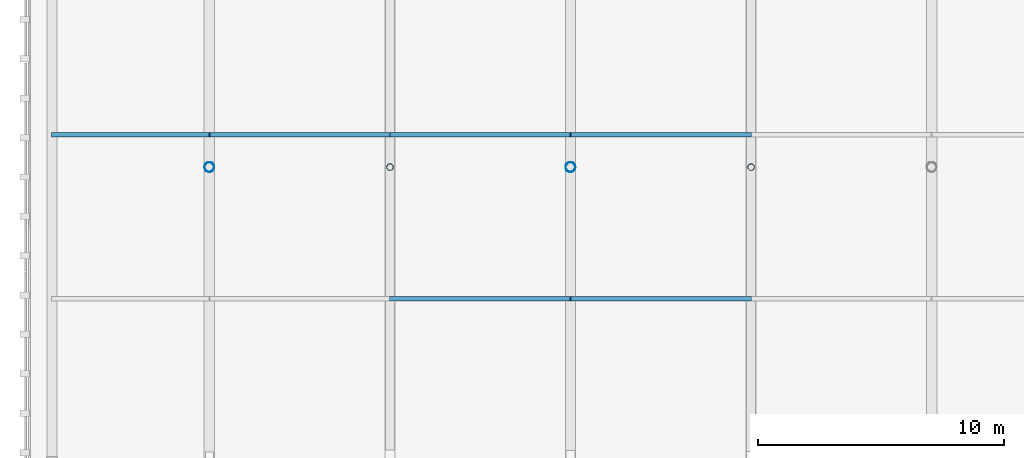
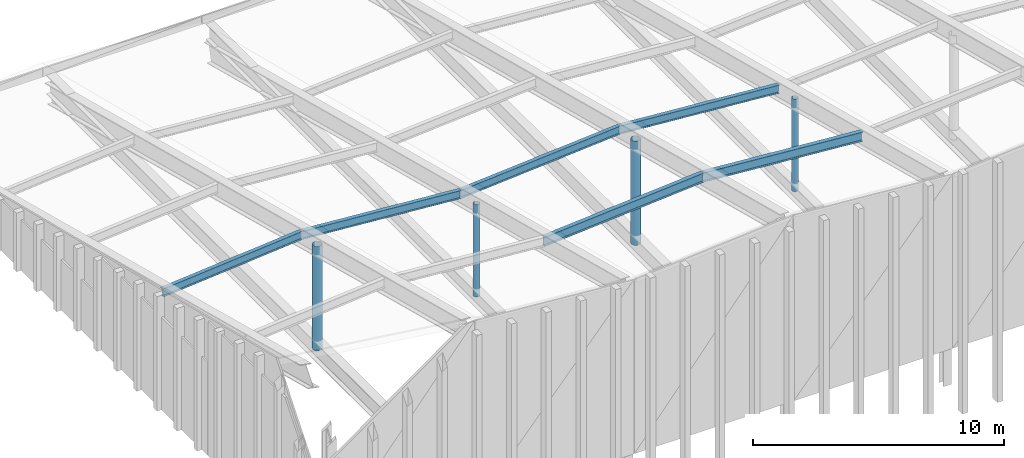
# One storey, part 3 of 8: 10 members.
"""IFC4 building model written with IfcOpenShell, lengths in metres."""

from ifc_helpers import new_model, si_unit, direction, frame, origin, origin_2d, place, context, subcontext, project, spatial, hollow_circle, i_section, extrude, material, material_profile, profile_set, type_object, element, save


model = new_model("IFC4")

# Units and contexts
model_context = context("Model", 3, precision=1e-05, world=origin(), true_north=direction((0.0, 1.0)))
body_context = subcontext(model_context, "Body", "Model", "MODEL_VIEW")
ifc_project = project(units=[si_unit("LENGTHUNIT", "METRE"), si_unit("AREAUNIT", "SQUARE_METRE"), si_unit("VOLUMEUNIT", "CUBIC_METRE"), si_unit("PLANEANGLEUNIT", "RADIAN"), si_unit("MASSUNIT", "GRAM", prefix="KILO")], contexts=[model_context])

# Site, building, storey
site_placement = place(None, origin())
site = spatial("IfcSite", under=ifc_project, at=site_placement, CompositionType="ELEMENT")
building_placement = place(site_placement, origin())
building = spatial("IfcBuilding", under=site, at=building_placement, Name="Trimount Lyric Opera House", CompositionType="ELEMENT")
storey_placement = place(building_placement, frame((0.0, 0.0, 34.199951171875)))
storey = spatial("IfcBuildingStorey", under=building, at=storey_placement, Name="RF", CompositionType="ELEMENT", Elevation=34.199951171875)

# Members
ifc_material_1 = material(Name="Steel ASTM A992 Grade 50", Category="steel")
ifc_material_profile_1 = material_profile(ifc_material_1, i_section(OverallWidth=0.177978515625, OverallDepth=0.404052734375, WebThickness=0.007568359375, FlangeThickness=0.010986328125, FilletRadius=0.010009765625, at=origin_2d()), Name="W16X36")
ifc_profile_set_1 = profile_set([ifc_material_profile_1], Name="Steel ASTM A992 Grade 50")
member_type_1 = type_object("IfcMemberType", Name="PR-01", PredefinedType="CHORD", material=ifc_profile_set_1)
member_1_placement = place(storey_placement, frame((64.260009765625, 97.31201171875, 4.214599609375), z_axis=(0.996053023158, 0.0, 0.088760211009), x_axis=(0.0, 1.0, 0.0)))
element("IfcMember", 1, at=member_1_placement, inside=storey, type_object=member_type_1, Name="Fly-tower roof purlin 1.2", PredefinedType="CHORD", context=body_context, shape_type="SweptSolid", body=[
    extrude(i_section(OverallWidth=0.177978515625, OverallDepth=0.404052734375, WebThickness=0.007568359375, FlangeThickness=0.010986328125, FilletRadius=0.010009765625, at=origin_2d()), origin(), (0.0, 0.0, 1.0), 6.422607421875),
])
for number, where, z_axis, x_axis, name in (
    (2, (70.6572265625, 97.31201171875, 4.78466796875), (0.996995257509, 0.0, -0.077462613592), (0.0, 1.0, 0.0), "Fly-tower roof purlin 2.2"),
    (3, (77.994384765625, 97.31201171875, 4.214599609375), (0.996995257509, 0.0, 0.077462613592), (0.0, 1.0, 0.0), "Fly-tower roof purlin 3.2"),
):
    element("IfcMember", number, at=place(storey_placement, frame(where, z_axis=z_axis, x_axis=x_axis)), inside=storey, type_object=member_type_1, Name=name, PredefinedType="CHORD", context=body_context, shape_type="SweptSolid", body=[
        extrude(i_section(OverallWidth=0.177978515625, OverallDepth=0.404052734375, WebThickness=0.007568359375, FlangeThickness=0.010986328125, FilletRadius=0.010009765625, at=origin_2d()), origin(), (0.0, 0.0, 1.0), 7.359375),
    ])
member_2_placement = place(storey_placement, frame((85.33154296875, 97.31201171875, 4.78466796875), z_axis=(0.996995058437, 0.0, -0.077465175744), x_axis=(0.0, 1.0, 0.0)))
element("IfcMember", 4, at=member_2_placement, inside=storey, type_object=member_type_1, Name="Fly-tower roof purlin 4.2", PredefinedType="CHORD", context=body_context, shape_type="SweptSolid", body=[
    extrude(i_section(OverallWidth=0.177978515625, OverallDepth=0.404052734375, WebThickness=0.007568359375, FlangeThickness=0.010986328125, FilletRadius=0.010009765625, at=origin_2d()), origin(), (0.0, 0.0, 1.0), 7.359130859375),
])
ifc_material_2 = material(Name="Steel ASTM A992 Grade 50", Category="steel")
ifc_material_profile_2 = material_profile(ifc_material_2, i_section(OverallWidth=0.19091796875, OverallDepth=0.45703125, WebThickness=0.009033203125, FlangeThickness=0.014404296875, FilletRadius=0.010986328125, at=origin_2d()), Name="W18X50")
ifc_profile_set_2 = profile_set([ifc_material_profile_2], Name="Steel ASTM A992 Grade 50")
member_type_2 = type_object("IfcMemberType", Name="PR-02", PredefinedType="CHORD", material=ifc_profile_set_2)
member_3_placement = place(storey_placement, frame((77.994384765625, 90.656005859375, 5.9404296875), z_axis=(0.996995257509, 0.0, 0.077462613592), x_axis=(0.0, 1.0, 0.0)))
element("IfcMember", 5, at=member_3_placement, inside=storey, type_object=member_type_2, Name="Fly-tower roof purlin 3.1", PredefinedType="CHORD", context=body_context, shape_type="SweptSolid", body=[
    extrude(i_section(OverallWidth=0.19091796875, OverallDepth=0.45703125, WebThickness=0.009033203125, FlangeThickness=0.014404296875, FilletRadius=0.010986328125, at=origin_2d()), origin(), (0.0, 0.0, 1.0), 7.359375),
])
member_4_placement = place(storey_placement, frame((85.33154296875, 90.656005859375, 6.510498046875), z_axis=(0.996995058437, 0.0, -0.077465175744), x_axis=(0.0, 1.0, 0.0)))
element("IfcMember", 6, at=member_4_placement, inside=storey, type_object=member_type_2, Name="Fly-tower roof purlin 4.1", PredefinedType="CHORD", context=body_context, shape_type="SweptSolid", body=[
    extrude(i_section(OverallWidth=0.19091796875, OverallDepth=0.45703125, WebThickness=0.009033203125, FlangeThickness=0.014404296875, FilletRadius=0.010986328125, at=origin_2d()), origin(), (0.0, 0.0, 1.0), 7.359130859375),
])
ifc_material_3 = material(Name="Steel ASTM A500 Grade C", Category="steel")
ifc_material_profile_3 = material_profile(ifc_material_3, hollow_circle(Radius=0.203125, WallThickness=0.01171875, at=origin_2d()), Name="HSS406.4X12.7")
ifc_profile_set_3 = profile_set([ifc_material_profile_3], Name="Steel ASTM A500 Grade C")
member_type_3 = type_object("IfcMemberType", Name="SR-01", PredefinedType="STRUT", material=ifc_profile_set_3)
for number, where, z_axis, x_axis, name in (
    (7, (70.6572265625, 96.0, 0.050048828125), (0.0, 0.0, 1.0), (1.0, 0.0, 0.0), "Fly-tower roof king strut 2"),
    (8, (85.33154296875, 96.0, 0.050048828125), (0.0, 0.0, 1.0), (1.0, 0.0, 0.0), "Fly-tower roof king strut 4"),
):
    element("IfcMember", number, at=place(storey_placement, frame(where, z_axis=z_axis, x_axis=x_axis)), inside=storey, type_object=member_type_3, Name=name, PredefinedType="STRUT", context=body_context, shape_type="SweptSolid", body=[
        extrude(hollow_circle(Radius=0.203125, WallThickness=0.01171875, at=origin_2d()), origin(), (0.0, 0.0, 1.0), 5.07470703125),
    ])
ifc_material_4 = material(Name="Steel ASTM A500 Grade C", Category="steel")
ifc_material_profile_4 = material_profile(ifc_material_4, hollow_circle(Radius=0.136474609375, WallThickness=0.0087890625, at=origin_2d()), Name="HSS273.1X9.5")
ifc_profile_set_4 = profile_set([ifc_material_profile_4], Name="Steel ASTM A500 Grade C")
member_type_4 = type_object("IfcMemberType", Name="SR-02", PredefinedType="STRUT", material=ifc_profile_set_4)
for number, where, z_axis, x_axis, name in (
    (9, (77.994384765625, 96.0, 0.050048828125), (0.0, 0.0, 1.0), (1.0, 0.0, 0.0), "Fly-tower roof king strut 3"),
    (10, (92.66845703125, 96.0, 0.050048828125), (0.0, 0.0, 1.0), (1.0, 0.0, 0.0), "Fly-tower roof king strut 5"),
):
    element("IfcMember", number, at=place(storey_placement, frame(where, z_axis=z_axis, x_axis=x_axis)), inside=storey, type_object=member_type_4, Name=name, PredefinedType="STRUT", context=body_context, shape_type="SweptSolid", body=[
        extrude(hollow_circle(Radius=0.136474609375, WallThickness=0.0087890625, at=origin_2d()), origin(), (0.0, 0.0, 1.0), 4.504638671875),
    ])

save(model, "model.ifc")
